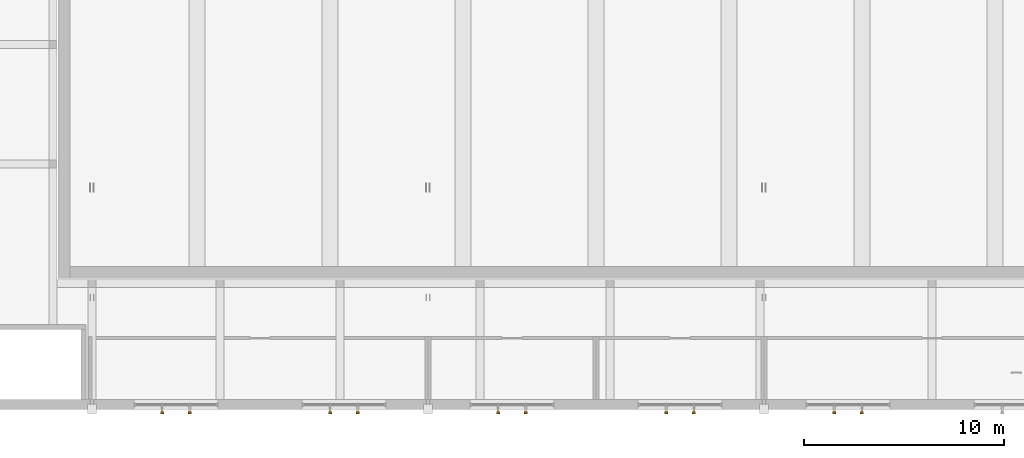
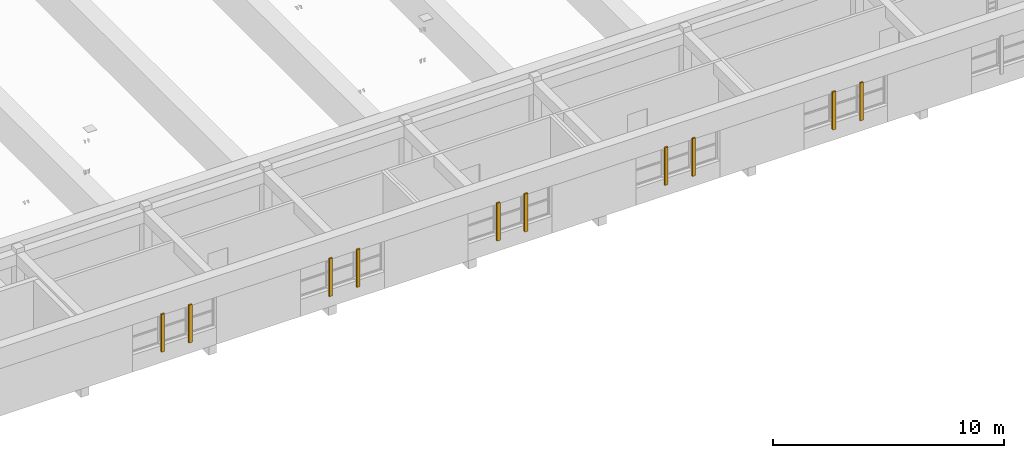
# One storey, part 25 of 28: 10 shading devices.
"""IFC4 building model written with IfcOpenShell, lengths in metres."""

from ifc_helpers import new_model, si_unit, direction, frame, origin, origin_2d, place, context, subcontext, project, spatial, rectangle, extrude, material, type_object, element, save


model = new_model("IFC4")

# Units and contexts
model_context = context("Model", 3, precision=1e-05, world=origin(), true_north=direction((0.0, 1.0)))
body_context = subcontext(model_context, "Body", "Model", "MODEL_VIEW")
ifc_project = project(units=[si_unit("LENGTHUNIT", "METRE"), si_unit("AREAUNIT", "SQUARE_METRE"), si_unit("VOLUMEUNIT", "CUBIC_METRE"), si_unit("PLANEANGLEUNIT", "RADIAN"), si_unit("MASSUNIT", "GRAM", prefix="KILO")], contexts=[model_context])

# Site, building, storey
site_placement = place(None, origin())
site = spatial("IfcSite", under=ifc_project, at=site_placement, CompositionType="ELEMENT")
building_placement = place(site_placement, origin())
building = spatial("IfcBuilding", under=site, at=building_placement, Name="Ljudholm Concert House", CompositionType="ELEMENT")
storey_placement = place(building_placement, frame((0.0, 0.0, 19.199951171875)))
storey = spatial("IfcBuildingStorey", under=building, at=storey_placement, Name="L04", CompositionType="ELEMENT", Elevation=19.199951171875)

# Shading devices
ifc_material = material(Name="Aluminium extrusion with timber-grain PVDF finish", Category="aluminium")
shading_device_type = type_object("IfcShadingDeviceType", Name="FACADE FIN 80x160", PredefinedType="SHUTTER", material=ifc_material)
for number, where, z_axis, x_axis, name in (
    (1, (41.110107421875, 53.989990234375, 0.699951171875), (0.0, 0.0, 1.0), (0.0, -1.0, 0.0), "Facade fin"),
    (2, (42.489990234375, 53.989990234375, 0.699951171875), (0.0, 0.0, 1.0), (0.0, -1.0, 0.0), "Facade fin"),
    (3, (49.510009765625, 53.989990234375, 0.699951171875), (0.0, 0.0, 1.0), (0.0, -1.0, 0.0), "Facade fin"),
    (4, (50.889892578125, 53.989990234375, 0.699951171875), (0.0, 0.0, 1.0), (0.0, -1.0, 0.0), "Facade fin"),
    (5, (57.909912109375, 53.989990234375, 0.699951171875), (0.0, 0.0, 1.0), (0.0, -1.0, 0.0), "Facade fin"),
    (6, (59.2900390625, 53.989990234375, 0.699951171875), (0.0, 0.0, 1.0), (0.0, -1.0, 0.0), "Facade fin"),
    (7, (66.31005859375, 53.989990234375, 0.699951171875), (0.0, 0.0, 1.0), (0.0, -1.0, 0.0), "Facade fin"),
    (8, (67.68994140625, 53.989990234375, 0.699951171875), (0.0, 0.0, 1.0), (0.0, -1.0, 0.0), "Facade fin"),
    (9, (74.7099609375, 53.989990234375, 0.699951171875), (0.0, 0.0, 1.0), (0.0, -1.0, 0.0), "Facade fin"),
    (10, (76.090087890625, 53.989990234375, 0.699951171875), (0.0, 0.0, 1.0), (0.0, -1.0, 0.0), "Facade fin"),
):
    element("IfcShadingDevice", number, at=place(storey_placement, frame(where, z_axis=z_axis, x_axis=x_axis)), inside=storey, type_object=shading_device_type, Name=name, PredefinedType="SHUTTER", context=body_context, shape_type="SweptSolid", body=[
        extrude(rectangle(XDim=0.080078125, YDim=0.159912109375, at=origin_2d()), origin(), (0.0, 0.0, 1.0), 2.0),
    ])

save(model, "model.ifc")
